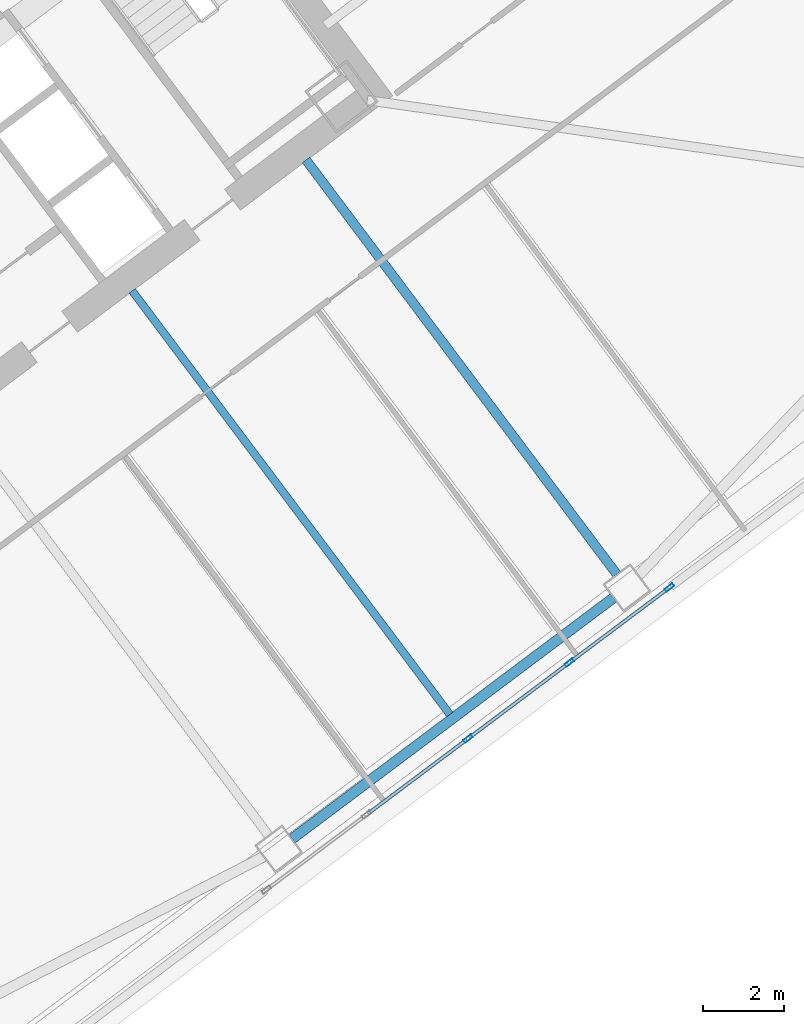
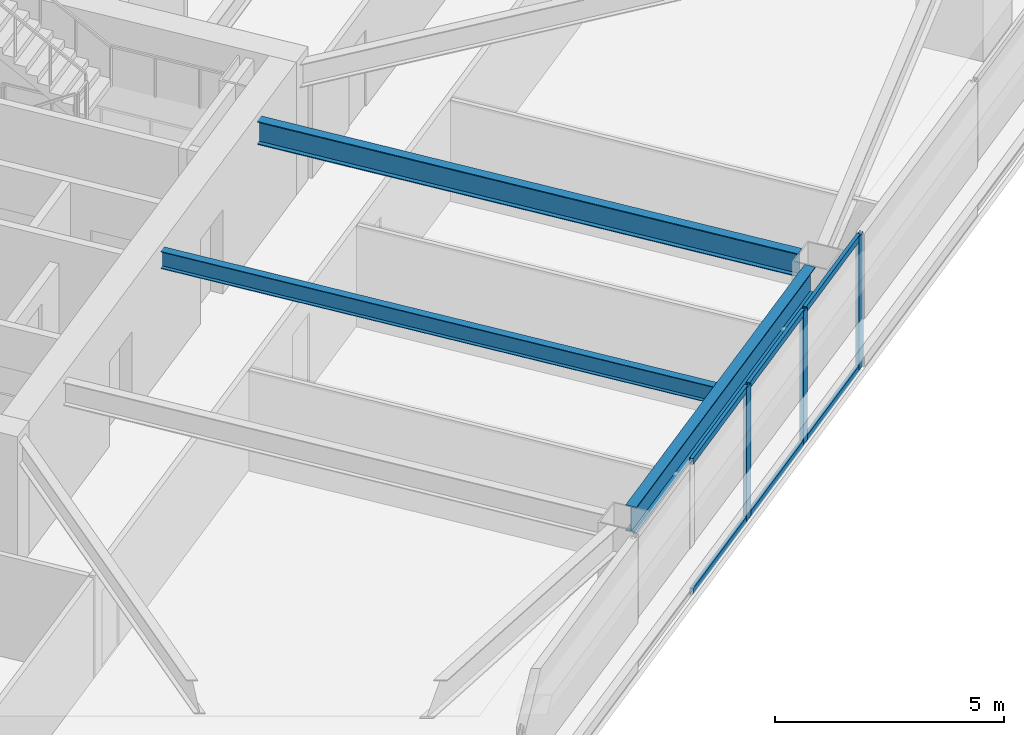
# One storey, part 24 of 47: 9 members, 3 beams, 1 element without a shape of its own.
"""IFC4 building model written with IfcOpenShell, lengths in metres."""

from ifc_helpers import new_model, si_unit, direction, frame, origin, origin_2d, place, context, subcontext, project, spatial, hollow_rectangle, i_section, extrude, material, material_profile, profile_set, type_object, element, aggregate, save


model = new_model("IFC4")

# Units and contexts
model_context = context("Model", 3, precision=1e-05, world=origin(), true_north=direction((0.0, 1.0)))
body_context = subcontext(model_context, "Body", "Model", "MODEL_VIEW")
ifc_project = project(units=[si_unit("LENGTHUNIT", "METRE"), si_unit("AREAUNIT", "SQUARE_METRE"), si_unit("VOLUMEUNIT", "CUBIC_METRE"), si_unit("PLANEANGLEUNIT", "RADIAN"), si_unit("MASSUNIT", "GRAM", prefix="KILO")], contexts=[model_context])

# Site, building, storey
site_placement = place(None, origin())
site = spatial("IfcSite", under=ifc_project, at=site_placement, CompositionType="ELEMENT")
building_placement = place(site_placement, origin())
building = spatial("IfcBuilding", under=site, at=building_placement, Name="Tashvorn Skyway Center", CompositionType="ELEMENT")
storey_placement = place(building_placement, frame((0.0, 0.0, 42.35009765625)))
storey = spatial("IfcBuildingStorey", under=building, at=storey_placement, Name="L10", CompositionType="ELEMENT", Elevation=42.35009765625)

# Beams
ifc_material_1 = material(Name="Steel ASTM A992 Grade 50", Category="steel")
ifc_material_profile_1 = material_profile(ifc_material_1, i_section(OverallWidth=0.22998046875, OverallDepth=0.616943359375, WebThickness=0.01318359375, FlangeThickness=0.022216796875, at=origin_2d()), Name="W24X94")
ifc_profile_set_1 = profile_set([ifc_material_profile_1], Name="Steel ASTM A992 Grade 50")
beam_type_1 = type_object("IfcBeamType", Name="BM-BEAM-W24X94", PredefinedType="BEAM", material=ifc_profile_set_1)
beam_1_placement = place(storey_placement, frame((130.697998046875, 18.736083984375, 3.04150390625), z_axis=(-0.599996960112, 0.800002279907, 0.0), x_axis=(-0.800002279907, -0.599996960112, 0.0)))
element("IfcBeam", 1, at=beam_1_placement, inside=storey, type_object=beam_type_1, Name="Tower 2 L10 Primary Floor Girder FC-S2", PredefinedType="BEAM", context=body_context, shape_type="SweptSolid", body=[
    extrude(i_section(OverallWidth=0.22998046875, OverallDepth=0.616943359375, WebThickness=0.01318359375, FlangeThickness=0.022216796875, at=origin_2d()), origin(), (0.0, 0.0, 1.0), 12.85009765625),
])
ifc_material_profile_2 = material_profile(ifc_material_1, i_section(OverallWidth=0.19091796875, OverallDepth=0.4599609375, WebThickness=0.010009765625, FlangeThickness=0.01611328125, at=origin_2d()), Name="W18X55")
ifc_profile_set_2 = profile_set([ifc_material_profile_2], Name="Steel ASTM A992 Grade 50")
beam_type_2 = type_object("IfcBeamType", Name="BM-JOIST-W18X55", PredefinedType="JOIST", material=ifc_profile_set_2)
beam_2_placement = place(storey_placement, frame((118.674072265625, 25.76806640625, 3.119873046875), z_axis=(0.600002972791, -0.799997770398, 0.0), x_axis=(0.799997770398, 0.600002972791, 0.0)))
element("IfcBeam", 2, at=beam_2_placement, inside=storey, type_object=beam_type_2, Name="Tower 2 L10 Secondary Composite Joist JS", PredefinedType="JOIST", context=body_context, shape_type="SweptSolid", body=[
    extrude(i_section(OverallWidth=0.19091796875, OverallDepth=0.4599609375, WebThickness=0.010009765625, FlangeThickness=0.01611328125, at=origin_2d()), origin(), (0.0, 0.0, 1.0), 13.139892578125),
])
ifc_material_profile_3 = material_profile(ifc_material_1, i_section(OverallWidth=0.256103515625, OverallDepth=0.693115234375, WebThickness=0.014404296875, FlangeThickness=0.023681640625, at=origin_2d()), Name="W27X114")
ifc_profile_set_3 = profile_set([ifc_material_profile_3], Name="Steel ASTM A992 Grade 50")
beam_type_3 = type_object("IfcBeamType", Name="BM-SPANDREL-W27X114", PredefinedType="SPANDREL", material=ifc_profile_set_3)
beam_3_placement = place(storey_placement, frame((122.64599609375, 12.172119140625, 3.00341796875), z_axis=(0.800008824351, 0.599988234018, 0.0), x_axis=(-0.599988234018, 0.800008824351, 0.0)))
element("IfcBeam", 3, at=beam_3_placement, inside=storey, type_object=beam_type_3, Name="Tower 2 L10 Spandrel Beam 02", PredefinedType="SPANDREL", context=body_context, shape_type="SweptSolid", body=[
    extrude(i_section(OverallWidth=0.256103515625, OverallDepth=0.693115234375, WebThickness=0.014404296875, FlangeThickness=0.023681640625, at=origin_2d()), origin(), (0.0, 0.0, 1.0), 9.9599609375),
])

# Curtain wall, members
ifc_material_2 = material(Name="Thermally broken bronze-anodized aluminium 6063-T6", Category="aluminium")
curtain_wall_type = type_object("IfcCurtainWallType", Name="CW-CW-Z1", PredefinedType="NOTDEFINED", material=ifc_material_2)
curtain_wall_placement = place(storey_placement, origin())
curtain_wall = element("IfcCurtainWall", 4, at=curtain_wall_placement, inside=storey, type_object=curtain_wall_type, Name="Tower 2 L10 South Unitised Curtain Wall Glazing Group 2", PredefinedType="NOTDEFINED")
ifc_material_profile_4 = material_profile(ifc_material_2, hollow_rectangle(XDim=0.0849609375, YDim=0.239990234375, WallThickness=0.0048828125, at=origin_2d()), Name="ALU-MULL-85x240")
ifc_profile_set_4 = profile_set([ifc_material_profile_4], Name="Thermally broken bronze-anodized aluminium 6063-T6")
member_type_1 = type_object("IfcMemberType", Name="CWM-CW-Z1", PredefinedType="MULLION", material=ifc_profile_set_4)
member_1_placement = place(storey_placement, frame((132.0087890625, 18.406494140625, 0.0), z_axis=(0.0, 0.0, 1.0), x_axis=(0.599997457641, -0.800001906763, 0.0)))
member_1 = element("IfcMember", 5, at=member_1_placement, type_object=member_type_1, Name="CW-Z1 mullion 1", PredefinedType="MULLION", context=body_context, shape_type="SweptSolid", body=[
    extrude(hollow_rectangle(XDim=0.0849609375, YDim=0.239990234375, WallThickness=0.0048828125, at=origin_2d()), origin(), (0.0, 0.0, 1.0), 3.5498046875),
])
member_2_placement = place(storey_placement, frame((129.525390625, 16.5439453125, 0.0), z_axis=(0.0, 0.0, 1.0), x_axis=(0.599997457641, -0.800001906763, 0.0)))
member_2 = element("IfcMember", 6, at=member_2_placement, type_object=member_type_1, Name="CW-Z1 mullion 2", PredefinedType="MULLION", context=body_context, shape_type="SweptSolid", body=[
    extrude(hollow_rectangle(XDim=0.0849609375, YDim=0.239990234375, WallThickness=0.0048828125, at=origin_2d()), origin(), (0.0, 0.0, 1.0), 3.5498046875),
])
member_3_placement = place(storey_placement, frame((127.008056640625, 14.656005859375, 0.0), z_axis=(0.0, 0.0, 1.0), x_axis=(0.599997457641, -0.800001906763, 0.0)))
member_3 = element("IfcMember", 7, at=member_3_placement, type_object=member_type_1, Name="CW-Z1 mullion 3", PredefinedType="MULLION", context=body_context, shape_type="SweptSolid", body=[
    extrude(hollow_rectangle(XDim=0.0849609375, YDim=0.239990234375, WallThickness=0.0048828125, at=origin_2d()), origin(), (0.0, 0.0, 1.0), 3.5498046875),
])
ifc_material_profile_5 = material_profile(ifc_material_2, hollow_rectangle(XDim=0.0849609375, YDim=0.1650390625, WallThickness=0.0048828125, at=origin_2d()), Name="ALU-TRAN-85x165")
ifc_profile_set_5 = profile_set([ifc_material_profile_5], Name="Thermally broken bronze-anodized aluminium 6063-T6")
member_type_2 = type_object("IfcMemberType", Name="CWT-CW-Z1", PredefinedType="USERDEFINED", material=ifc_profile_set_5)
member_4_placement = place(storey_placement, frame((131.974609375, 18.381103515625, 0.04248046875), z_axis=(-0.799990296182, -0.600012938206, 0.0), x_axis=(0.600012938206, -0.799990296182, 0.0)))
member_4 = element("IfcMember", 8, at=member_4_placement, type_object=member_type_2, Name="CW-Z1 transom 1.1", ObjectType="TRANSOM", PredefinedType="USERDEFINED", context=body_context, shape_type="SweptSolid", body=[
    extrude(hollow_rectangle(XDim=0.0849609375, YDim=0.1650390625, WallThickness=0.0048828125, at=origin_2d()), origin(), (0.0, 0.0, 1.0), 3.01904296875),
])
member_5_placement = place(storey_placement, frame((131.974609375, 18.381103515625, 3.50732421875), z_axis=(-0.799990296182, -0.600012938206, 0.0), x_axis=(0.600012938206, -0.799990296182, 0.0)))
member_5 = element("IfcMember", 9, at=member_5_placement, type_object=member_type_2, Name="CW-Z1 transom 1.2", ObjectType="TRANSOM", PredefinedType="USERDEFINED", context=body_context, shape_type="SweptSolid", body=[
    extrude(hollow_rectangle(XDim=0.0849609375, YDim=0.1650390625, WallThickness=0.0048828125, at=origin_2d()), origin(), (0.0, 0.0, 1.0), 3.01904296875),
])
member_6_placement = place(storey_placement, frame((129.491455078125, 16.5185546875, 0.04248046875), z_axis=(-0.799990431589, -0.60001275767, 0.0), x_axis=(0.60001275767, -0.799990431589, 0.0)))
member_6 = element("IfcMember", 10, at=member_6_placement, type_object=member_type_2, Name="CW-Z1 transom 2.1", ObjectType="TRANSOM", PredefinedType="USERDEFINED", context=body_context, shape_type="SweptSolid", body=[
    extrude(hollow_rectangle(XDim=0.0849609375, YDim=0.1650390625, WallThickness=0.0048828125, at=origin_2d()), origin(), (0.0, 0.0, 1.0), 3.061767578125),
])
member_7_placement = place(storey_placement, frame((129.491455078125, 16.5185546875, 3.50732421875), z_axis=(-0.799990431589, -0.60001275767, 0.0), x_axis=(0.60001275767, -0.799990431589, 0.0)))
member_7 = element("IfcMember", 11, at=member_7_placement, type_object=member_type_2, Name="CW-Z1 transom 2.2", ObjectType="TRANSOM", PredefinedType="USERDEFINED", context=body_context, shape_type="SweptSolid", body=[
    extrude(hollow_rectangle(XDim=0.0849609375, YDim=0.1650390625, WallThickness=0.0048828125, at=origin_2d()), origin(), (0.0, 0.0, 1.0), 3.061767578125),
])
member_8_placement = place(storey_placement, frame((126.97412109375, 14.630615234375, 0.04248046875), z_axis=(-0.799990431589, -0.60001275767, 0.0), x_axis=(0.60001275767, -0.799990431589, 0.0)))
member_8 = element("IfcMember", 12, at=member_8_placement, type_object=member_type_2, Name="CW-Z1 transom 3.1", ObjectType="TRANSOM", PredefinedType="USERDEFINED", context=body_context, shape_type="SweptSolid", body=[
    extrude(hollow_rectangle(XDim=0.0849609375, YDim=0.1650390625, WallThickness=0.0048828125, at=origin_2d()), origin(), (0.0, 0.0, 1.0), 3.061767578125),
])
member_9_placement = place(storey_placement, frame((126.97412109375, 14.630615234375, 3.50732421875), z_axis=(-0.799990431589, -0.60001275767, 0.0), x_axis=(0.60001275767, -0.799990431589, 0.0)))
member_9 = element("IfcMember", 13, at=member_9_placement, type_object=member_type_2, Name="CW-Z1 transom 3.2", ObjectType="TRANSOM", PredefinedType="USERDEFINED", context=body_context, shape_type="SweptSolid", body=[
    extrude(hollow_rectangle(XDim=0.0849609375, YDim=0.1650390625, WallThickness=0.0048828125, at=origin_2d()), origin(), (0.0, 0.0, 1.0), 3.061767578125),
])
aggregate(curtain_wall, [member_1, member_2, member_3, member_4, member_5, member_6, member_7, member_8, member_9])

save(model, "model.ifc")
